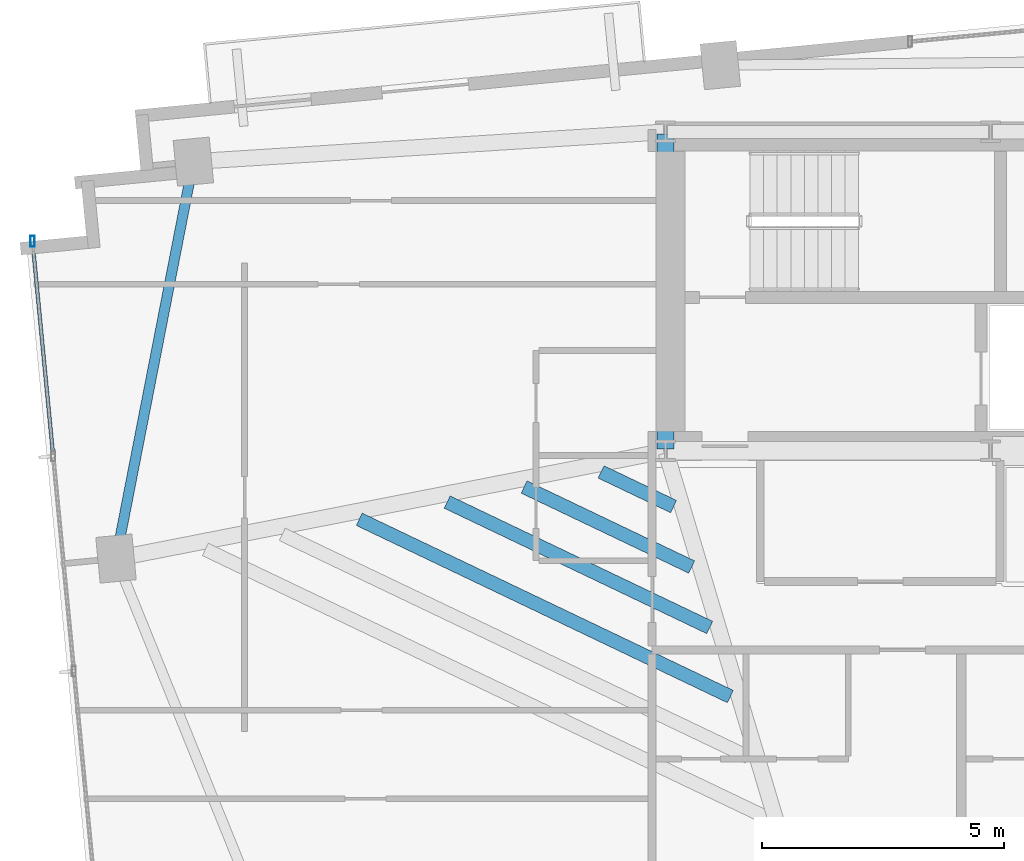
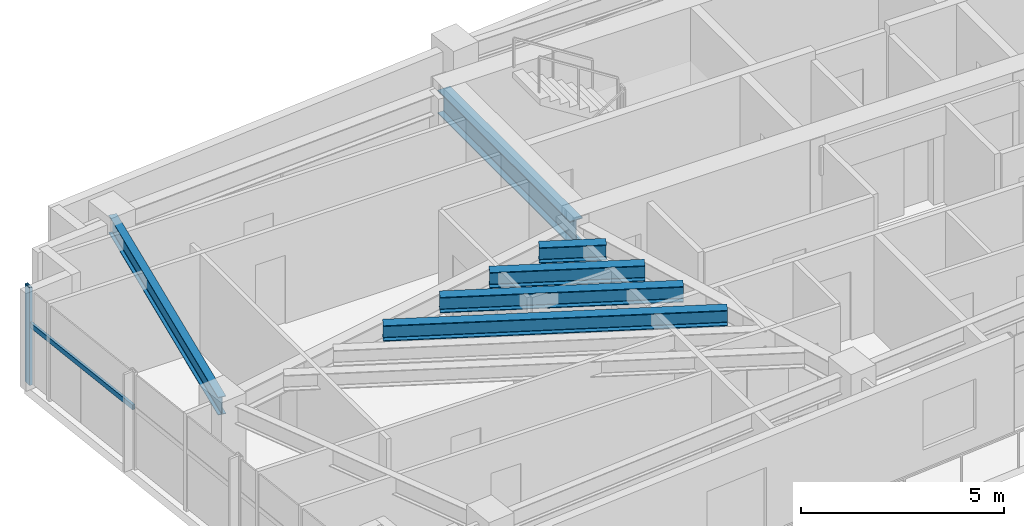
# One storey, part 3 of 18: 6 beams, 2 members, 1 element without a shape of its own.
"""IFC4 building model written with IfcOpenShell, lengths in metres."""

from ifc_helpers import new_model, si_unit, direction, frame, origin, origin_2d, place, context, subcontext, project, spatial, hollow_rectangle, i_section, extrude, source, transform, mapped, material, material_profile, profile_set, type_object, type_shapes, element, aggregate, save


model = new_model("IFC4")

# Units and contexts
model_context = context("Model", 3, precision=1e-05, world=origin(), true_north=direction((0.0, 1.0)))
body_context = subcontext(model_context, "Body", "Model", "MODEL_VIEW")
ifc_project = project(units=[si_unit("LENGTHUNIT", "METRE"), si_unit("AREAUNIT", "SQUARE_METRE"), si_unit("VOLUMEUNIT", "CUBIC_METRE"), si_unit("PLANEANGLEUNIT", "RADIAN"), si_unit("MASSUNIT", "GRAM", prefix="KILO")], contexts=[model_context])

# Site, building, storey
site_placement = place(None, origin())
site = spatial("IfcSite", under=ifc_project, at=site_placement, CompositionType="ELEMENT")
building_placement = place(site_placement, origin())
building = spatial("IfcBuilding", under=site, at=building_placement, Name="Astriad Promenade Condominiums", CompositionType="ELEMENT")
storey_placement = place(building_placement, frame((0.0, 0.0, 189.0)))
storey = spatial("IfcBuildingStorey", under=building, at=storey_placement, Name="L54", CompositionType="ELEMENT", Elevation=189.0)

# Beams
ifc_material_1 = material(Name="Steel ASTM A992 Grade 50", Category="steel")
ifc_material_profile_1 = material_profile(ifc_material_1, i_section(OverallWidth=0.35791015625, OverallDepth=0.706298828125, WebThickness=0.018310546875, FlangeThickness=0.0302734375, FilletRadius=0.020263671875, at=origin_2d()), Name="W27X178")
ifc_profile_set_1 = profile_set([ifc_material_profile_1], Name="Steel ASTM A992 Grade 50")
beam_type_1 = type_object("IfcBeamType", Name="STEEL FLOOR GIRDER W27X178", PredefinedType="BEAM", material=ifc_profile_set_1)
shared_shape_1 = source(origin(), body_context, "Body", "SweptSolid", [
    extrude(i_section(OverallWidth=0.35791015625, OverallDepth=0.706298828125, WebThickness=0.018310546875, FlangeThickness=0.0302734375, FilletRadius=0.020263671875, at=origin_2d()), origin(), (0.0, 0.0, 1.0), 6.52001953125),
])
type_shapes(beam_type_1, [shared_shape_1])
beam_1_placement = place(storey_placement, frame((26.39990234375, 17.43994140625, 2.5869140625), z_axis=(0.0, 1.0, 0.0), x_axis=(-1.0, 0.0, 0.0)))
element("IfcBeam", 1, at=beam_1_placement, inside=storey, type_object=beam_type_1, Name="Core Ring Beam CG-W1-L54", PredefinedType="BEAM", context=body_context, shape_type="MappedRepresentation", body=[
    mapped(shared_shape_1, transform((0.0, 0.0, 0.0), scale=1.0)),
])
ifc_material_profile_2 = material_profile(ifc_material_1, i_section(OverallWidth=0.210693359375, OverallDepth=0.53955078125, WebThickness=0.01171875, FlangeThickness=0.018798828125, FilletRadius=0.0166015625, at=origin_2d()), Name="W21X73")
ifc_profile_set_2 = profile_set([ifc_material_profile_2], Name="Steel ASTM A992 Grade 50")
beam_type_2 = type_object("IfcBeamType", Name="STEEL SPANDREL BEAM W21X73", PredefinedType="SPANDREL", material=ifc_profile_set_2)
shared_shape_2 = source(origin(), body_context, "Body", "SweptSolid", [
    extrude(i_section(OverallWidth=0.210693359375, OverallDepth=0.53955078125, WebThickness=0.01171875, FlangeThickness=0.018798828125, FilletRadius=0.0166015625, at=origin_2d()), origin(), (0.0, 0.0, 1.0), 8.28564453125),
])
type_shapes(beam_type_2, [shared_shape_2])
beam_2_placement = place(storey_placement, frame((16.62451171875, 23.3447265625, 2.67041015625), z_axis=(-0.191291582099, -0.981533254973, 0.0), x_axis=(0.981533254973, -0.191291582099, 0.0)))
element("IfcBeam", 2, at=beam_2_placement, inside=storey, type_object=beam_type_2, Name="Perimeter Spandrel Beam SP-W2-L54", PredefinedType="SPANDREL", context=body_context, shape_type="MappedRepresentation", body=[
    mapped(shared_shape_2, transform((0.0, 0.0, 0.0), scale=1.0)),
])
ifc_material_profile_3 = material_profile(ifc_material_1, i_section(OverallWidth=0.283203125, OverallDepth=0.47216796875, WebThickness=0.013671875, FlangeThickness=0.022216796875, FilletRadius=0.01513671875, at=origin_2d()), Name="W18X97")
ifc_profile_set_3 = profile_set([ifc_material_profile_3], Name="Steel ASTM A992 Grade 50")
beam_type_3 = type_object("IfcBeamType", Name="STEEL FLOOR JOIST W18X97", PredefinedType="JOIST", material=ifc_profile_set_3)
shared_shape_3 = source(origin(), body_context, "Body", "SweptSolid", [
    extrude(i_section(OverallWidth=0.283203125, OverallDepth=0.47216796875, WebThickness=0.013671875, FlangeThickness=0.022216796875, FilletRadius=0.01513671875, at=origin_2d()), origin(), (0.0, 0.0, 1.0), 8.508056640625),
])
beam_3_placement = place(storey_placement, frame((20.06298828125, 15.985595703125, 2.703857421875), z_axis=(0.902339530667, -0.431025952113, 0.0), x_axis=(0.431025952113, 0.902339530667, 0.0)))
element("IfcBeam", 3, at=beam_3_placement, inside=storey, type_object=beam_type_3, Name="Secondary Composite Floor Joist JW1-3-L54", PredefinedType="JOIST", context=body_context, shape_type="MappedRepresentation", body=[
    mapped(shared_shape_3, transform((0.0, 0.0, 0.0), scale=1.0)),
])
shared_shape_4 = source(origin(), body_context, "Body", "SweptSolid", [
    extrude(i_section(OverallWidth=0.283203125, OverallDepth=0.47216796875, WebThickness=0.013671875, FlangeThickness=0.022216796875, FilletRadius=0.01513671875, at=origin_2d()), origin(), (0.0, 0.0, 1.0), 6.01904296875),
])
beam_4_placement = place(storey_placement, frame((21.882080078125, 16.342041015625, 2.703857421875), z_axis=(0.902329759838, -0.431046406446, 0.0), x_axis=(0.431046406446, 0.902329759838, 0.0)))
element("IfcBeam", 4, at=beam_4_placement, inside=storey, type_object=beam_type_3, Name="Secondary Composite Floor Joist JW1-4-L54", PredefinedType="JOIST", context=body_context, shape_type="MappedRepresentation", body=[
    mapped(shared_shape_4, transform((0.0, 0.0, 0.0), scale=1.0)),
])
shared_shape_5 = source(origin(), body_context, "Body", "SweptSolid", [
    extrude(i_section(OverallWidth=0.283203125, OverallDepth=0.47216796875, WebThickness=0.013671875, FlangeThickness=0.022216796875, FilletRadius=0.01513671875, at=origin_2d()), origin(), (0.0, 0.0, 1.0), 3.84130859375),
])
beam_5_placement = place(storey_placement, frame((23.473388671875, 16.65380859375, 2.703857421875), z_axis=(0.902328811953, -0.431048390693, 0.0), x_axis=(0.431048390693, 0.902328811953, 0.0)))
element("IfcBeam", 5, at=beam_5_placement, inside=storey, type_object=beam_type_3, Name="Secondary Composite Floor Joist JW1-5-L54", PredefinedType="JOIST", context=body_context, shape_type="MappedRepresentation", body=[
    mapped(shared_shape_5, transform((0.0, 0.0, 0.0), scale=1.0)),
])
shared_shape_6 = source(origin(), body_context, "Body", "SweptSolid", [
    extrude(i_section(OverallWidth=0.283203125, OverallDepth=0.47216796875, WebThickness=0.013671875, FlangeThickness=0.022216796875, FilletRadius=0.01513671875, at=origin_2d()), origin(), (0.0, 0.0, 1.0), 1.6630859375),
])
type_shapes(beam_type_3, [shared_shape_3, shared_shape_4, shared_shape_5, shared_shape_6])
beam_6_placement = place(storey_placement, frame((25.065185546875, 16.965576171875, 2.703857421875), z_axis=(0.902355200591, -0.430993146077, 0.0), x_axis=(0.430993146077, 0.902355200591, 0.0)))
element("IfcBeam", 6, at=beam_6_placement, inside=storey, type_object=beam_type_3, Name="Secondary Composite Floor Joist JW1-6-L54", PredefinedType="JOIST", context=body_context, shape_type="MappedRepresentation", body=[
    mapped(shared_shape_6, transform((0.0, 0.0, 0.0), scale=1.0)),
])

# Curtain wall, members
ifc_material_2 = material(Name="Anodised aluminium Black Dark Glass Unitised", Category="aluminium")
curtain_wall_type = type_object("IfcCurtainWallType", Name="CW-B34-DARK", PredefinedType="USERDEFINED", material=ifc_material_2)
curtain_wall_placement = place(storey_placement, origin())
curtain_wall = element("IfcCurtainWall", 7, at=curtain_wall_placement, inside=storey, type_object=curtain_wall_type, Name="CW-L54-W", ObjectType="UNITISED_CURTAIN_WALL", PredefinedType="USERDEFINED")
ifc_material_3 = material(Name="Anodised aluminium 6063-T6 Black", Category="aluminium")
ifc_material_profile_4 = material_profile(ifc_material_3, hollow_rectangle(XDim=0.0849609375, YDim=0.219970703125, WallThickness=0.0048828125, at=origin_2d()), Name="ALU-MUL-85X220")
ifc_profile_set_4 = profile_set([ifc_material_profile_4], Name="Anodised aluminium 6063-T6 Black")
member_type_1 = type_object("IfcMemberType", Name="MUL-ALU-MUL-85X220", PredefinedType="MULLION", material=ifc_profile_set_4)
shared_shape_7 = source(origin(), body_context, "Body", "SweptSolid", [
    extrude(hollow_rectangle(XDim=0.0849609375, YDim=0.219970703125, WallThickness=0.0048828125, at=origin_2d()), origin(), (0.0, 0.0, 1.0), 2.93994140625),
])
type_shapes(member_type_1, [shared_shape_7])
member_1_placement = place(storey_placement, frame((13.3046875, 21.737548828125, 0.0), z_axis=(0.0, 0.0, 1.0), x_axis=(1.0, 0.0, 0.0)))
member_1 = element("IfcMember", 8, at=member_1_placement, type_object=member_type_1, Name="CW-L54-W-MUL-03", PredefinedType="MULLION", context=body_context, shape_type="MappedRepresentation", body=[
    mapped(shared_shape_7, transform((0.0, 0.0, 0.0), scale=1.0)),
])
ifc_material_profile_5 = material_profile(ifc_material_3, hollow_rectangle(XDim=0.074951171875, YDim=0.14990234375, WallThickness=0.004150390625, at=origin_2d()), Name="ALU-TRN-75X150")
ifc_profile_set_5 = profile_set([ifc_material_profile_5], Name="Anodised aluminium 6063-T6 Black")
member_type_2 = type_object("IfcMemberType", Name="TRN-ALU-TRN-75X150", PredefinedType="USERDEFINED", material=ifc_profile_set_5)
shared_shape_8 = source(origin(), body_context, "Body", "SweptSolid", [
    extrude(hollow_rectangle(XDim=0.074951171875, YDim=0.14990234375, WallThickness=0.004150390625, at=origin_2d()), origin(), (0.0, 0.0, 1.0), 4.466552734375),
])
type_shapes(member_type_2, [shared_shape_8])
member_2_placement = place(storey_placement, frame((13.732666015625, 17.29150390625, 1.82275390625), z_axis=(-0.095817598554, 0.995398908884, 0.0), x_axis=(-0.995398908884, -0.095817598554, 0.0)))
member_2 = element("IfcMember", 9, at=member_2_placement, type_object=member_type_2, Name="CW-L54-W-TRN-02-0", ObjectType="TRANSOM", PredefinedType="USERDEFINED", context=body_context, shape_type="MappedRepresentation", body=[
    mapped(shared_shape_8, transform((0.0, 0.0, 0.0), scale=1.0)),
])
aggregate(curtain_wall, [member_1, member_2])

save(model, "model.ifc")
